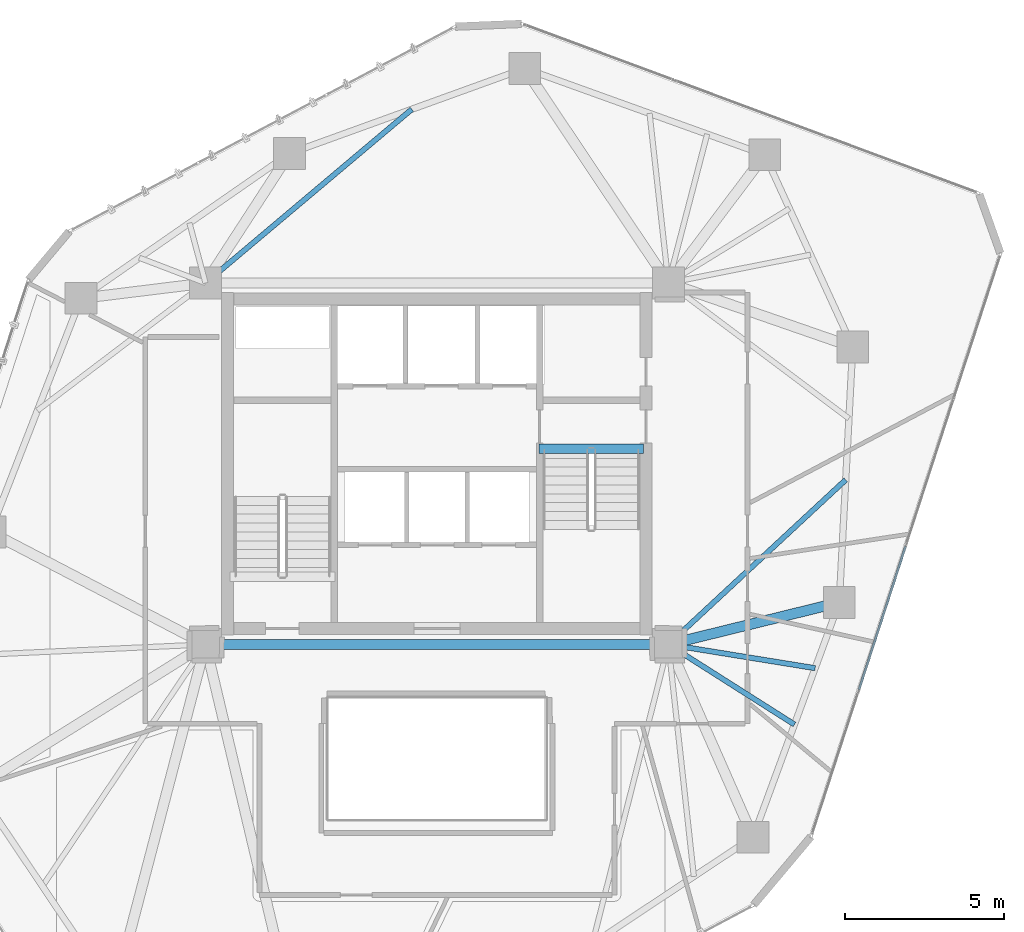
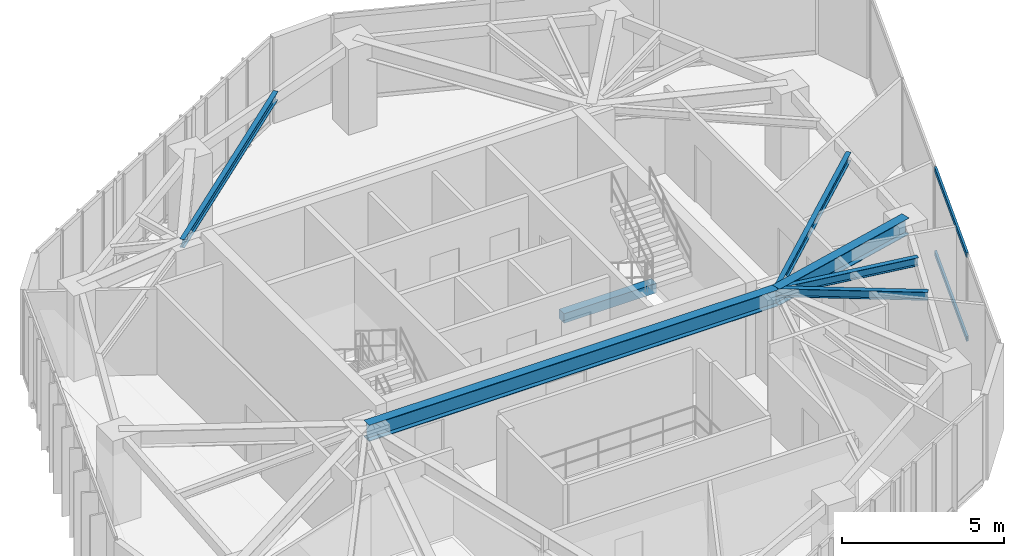
# One storey, part 9 of 19: 7 beams, 2 members, 1 element without a shape of its own.
"""IFC4 building model written with IfcOpenShell, lengths in metres."""

from ifc_helpers import new_model, si_unit, direction, frame, origin, origin_2d, place, context, subcontext, project, spatial, rectangle, hollow_rectangle, i_section, extrude, source, transform, mapped, material, layer, layer_set, material_profile, profile_set, type_object, type_shapes, element, aggregate, save


model = new_model("IFC4")

# Units and contexts
model_context = context("Model", 3, precision=1e-05, world=origin(), true_north=direction((0.0, 1.0)))
body_context = subcontext(model_context, "Body", "Model", "MODEL_VIEW")
ifc_project = project(units=[si_unit("LENGTHUNIT", "METRE"), si_unit("AREAUNIT", "SQUARE_METRE"), si_unit("VOLUMEUNIT", "CUBIC_METRE"), si_unit("PLANEANGLEUNIT", "RADIAN"), si_unit("MASSUNIT", "GRAM", prefix="KILO")], contexts=[model_context])

# Site, building, storey
site_placement = place(None, origin())
site = spatial("IfcSite", under=ifc_project, at=site_placement, CompositionType="ELEMENT")
building_placement = place(site_placement, origin())
building = spatial("IfcBuilding", under=site, at=building_placement, Name="Talar Marvaseh", CompositionType="ELEMENT")
storey_placement = place(building_placement, frame((0.0, 0.0, 174.0)))
storey = spatial("IfcBuildingStorey", under=building, at=storey_placement, Name="L45", CompositionType="ELEMENT", Elevation=174.0)

# Beams
ifc_material_1 = material(Name="Concrete C40/50", Category="concrete")
ifc_material_profile_1 = material_profile(ifc_material_1, rectangle(XDim=0.300048828125, YDim=0.360107421875, at=origin_2d()), Name="RC300x360")
ifc_profile_set_1 = profile_set([ifc_material_profile_1], Name="Concrete C40/50")
beam_type_1 = type_object("IfcBeamType", Name="Concrete Stair Landing Trimmer Beam RC300x360", PredefinedType="SPANDREL", material=ifc_profile_set_1)
beam_1_placement = place(storey_placement, frame((29.219970703125, 31.669921875, -0.179931640625), z_axis=(1.0, 0.0, 0.0), x_axis=(0.0, 1.0, 0.0)))
element("IfcBeam", 1, at=beam_1_placement, inside=storey, type_object=beam_type_1, Name="L45 ST-2 Stair Nosing Trimmer Beam", PredefinedType="SPANDREL", context=body_context, shape_type="SweptSolid", body=[
    extrude(rectangle(XDim=0.300048828125, YDim=0.360107421875, at=origin_2d()), origin(), (0.0, 0.0, 1.0), 3.300048828125),
])
ifc_material_2 = material(Name="Steel S355", Category="steel")
ifc_material_profile_2 = material_profile(ifc_material_2, i_section(OverallWidth=0.324951171875, OverallDepth=0.615966796875, WebThickness=0.013916015625, FlangeThickness=0.021484375, at=origin_2d()), Name="W610x174")
ifc_profile_set_2 = profile_set([ifc_material_profile_2], Name="Steel S355")
beam_type_2 = type_object("IfcBeamType", Name="Zone 3 Radial Floor Girder W610x174", PredefinedType="BEAM", material=ifc_profile_set_2)
beam_2_placement = place(storey_placement, frame((18.699951171875, 25.5, 2.922119140625), z_axis=(1.0, 0.0, 0.0), x_axis=(0.0, 1.0, 0.0)))
element("IfcBeam", 2, at=beam_2_placement, inside=storey, type_object=beam_type_2, Name="L45 Zone 3 Radial Floor Girder W610x174", PredefinedType="BEAM", context=body_context, shape_type="SweptSolid", body=[
    extrude(i_section(OverallWidth=0.324951171875, OverallDepth=0.615966796875, WebThickness=0.013916015625, FlangeThickness=0.021484375, at=origin_2d()), origin(), (0.0, 0.0, 1.0), 14.60009765625),
])
beam_3_placement = place(storey_placement, frame((38.68896484375, 26.823974609375, 2.922119140625), z_axis=(-0.971120507527, -0.238589521692, 0.0), x_axis=(0.238589521692, -0.971120507527, 0.0)))
element("IfcBeam", 3, at=beam_3_placement, inside=storey, type_object=beam_type_2, Name="L45 Zone 3 Radial Floor Girder W610x174", PredefinedType="BEAM", context=body_context, shape_type="SweptSolid", body=[
    extrude(i_section(OverallWidth=0.324951171875, OverallDepth=0.615966796875, WebThickness=0.013916015625, FlangeThickness=0.021484375, at=origin_2d()), origin(), (0.0, 0.0, 1.0), 5.549072265625),
])
ifc_material_profile_3 = material_profile(ifc_material_2, i_section(OverallWidth=0.166015625, OverallDepth=0.31298828125, WebThickness=0.006591796875, FlangeThickness=0.01123046875, at=origin_2d()), Name="W310x45")
ifc_profile_set_3 = profile_set([ifc_material_profile_3], Name="Steel S355")
beam_type_3 = type_object("IfcBeamType", Name="Zone 3 Secondary Floor Joist W310x45", PredefinedType="JOIST", material=ifc_profile_set_3)
beam_4_placement = place(storey_placement, frame((38.892578125, 30.69287109375, 3.073486328125), z_axis=(-0.73280602476, -0.680437601897, 0.0), x_axis=(0.680437601897, -0.73280602476, 0.0)))
element("IfcBeam", 4, at=beam_4_placement, inside=storey, type_object=beam_type_3, Name="L45 Zone 3 Secondary Floor Joist W310x45", PredefinedType="JOIST", context=body_context, shape_type="SweptSolid", body=[
    extrude(i_section(OverallWidth=0.166015625, OverallDepth=0.31298828125, WebThickness=0.006591796875, FlangeThickness=0.01123046875, at=origin_2d()), origin(), (0.0, 0.0, 1.0), 7.631591796875),
])
beam_5_placement = place(storey_placement, frame((37.927978515625, 24.751708984375, 3.073486328125), z_axis=(-0.987178985963, 0.159617197298, 0.0), x_axis=(-0.159617197298, -0.987178985963, 0.0)))
element("IfcBeam", 5, at=beam_5_placement, inside=storey, type_object=beam_type_3, Name="L45 Zone 3 Secondary Floor Joist W310x45", PredefinedType="JOIST", context=body_context, shape_type="SweptSolid", body=[
    extrude(i_section(OverallWidth=0.166015625, OverallDepth=0.31298828125, WebThickness=0.006591796875, FlangeThickness=0.01123046875, at=origin_2d()), origin(), (0.0, 0.0, 1.0), 4.68798828125),
])
beam_6_placement = place(storey_placement, frame((37.275634765625, 22.9755859375, 3.073486328125), z_axis=(-0.844190472961, 0.536043324147, 0.0), x_axis=(-0.536043324147, -0.844190472961, 0.0)))
element("IfcBeam", 6, at=beam_6_placement, inside=storey, type_object=beam_type_3, Name="L45 Zone 3 Secondary Floor Joist W310x45", PredefinedType="JOIST", context=body_context, shape_type="SweptSolid", body=[
    extrude(i_section(OverallWidth=0.166015625, OverallDepth=0.31298828125, WebThickness=0.006591796875, FlangeThickness=0.01123046875, at=origin_2d()), origin(), (0.0, 0.0, 1.0), 4.709228515625),
])
beam_7_placement = place(storey_placement, frame((25.207275390625, 42.380615234375, 3.073486328125), z_axis=(-0.76486133839, -0.644194949558, 0.0), x_axis=(0.644194949558, -0.76486133839, 0.0)))
element("IfcBeam", 7, at=beam_7_placement, inside=storey, type_object=beam_type_3, Name="L45 Zone 3 Secondary Floor Joist W310x45", PredefinedType="JOIST", context=body_context, shape_type="SweptSolid", body=[
    extrude(i_section(OverallWidth=0.166015625, OverallDepth=0.31298828125, WebThickness=0.006591796875, FlangeThickness=0.01123046875, at=origin_2d()), origin(), (0.0, 0.0, 1.0), 8.5078125),
])

# Curtain wall, members
ifc_material_3 = material(Name="Architectural Aluminium", Category="aluminium")
ifc_layer = layer(ifc_material_3, 0.18994140625)
ifc_layer_set = layer_set([ifc_layer], Name="Architectural Aluminium")
curtain_wall_type = type_object("IfcCurtainWallType", Name="Unitised Solar Atelier Curtain Wall Z3", PredefinedType="NOTDEFINED", material=ifc_layer_set)
curtain_wall_placement = place(storey_placement, origin())
curtain_wall = element("IfcCurtainWall", 8, at=curtain_wall_placement, inside=storey, type_object=curtain_wall_type, Name="L45 Unitised Solar Atelier Curtain Wall Z3", PredefinedType="NOTDEFINED")
ifc_material_profile_4 = material_profile(ifc_material_3, hollow_rectangle(XDim=0.074951171875, YDim=0.179931640625, WallThickness=0.0048828125, at=origin_2d()), Name="RHS180x75x5")
ifc_profile_set_4 = profile_set([ifc_material_profile_4], Name="Architectural Aluminium")
member_type = type_object("IfcMemberType", Name="Unitised Curtain Wall Transom RHS180x75x5", PredefinedType="USERDEFINED", material=ifc_profile_set_4)
shared_shape = source(origin(), body_context, "Body", "SweptSolid", [
    extrude(hollow_rectangle(XDim=0.074951171875, YDim=0.179931640625, WallThickness=0.0048828125, at=origin_2d()), origin(), (0.0, 0.0, 1.0), 4.7470703125),
])
type_shapes(member_type, [shared_shape])
member_1_placement = place(storey_placement, frame((40.779296875, 28.59375, 0.03759765625), z_axis=(-0.309137238828, -0.9510174381, 0.0), x_axis=(0.9510174381, -0.309137238828, 0.0)))
member_1 = element("IfcMember", 9, at=member_1_placement, type_object=member_type, Name="CW-Z3 transom 3.1", ObjectType="TRANSOM", PredefinedType="USERDEFINED", context=body_context, shape_type="MappedRepresentation", body=[
    mapped(shared_shape, transform((0.0, 0.0, 0.0), x_axis=(1.0, 0.0, 0.0), y_axis=(0.0, 1.0, 0.0), z_axis=(0.0, 0.0, 1.0), scale=1.0)),
])
member_2_placement = place(storey_placement, frame((40.779296875, 28.59375, 3.1923828125), z_axis=(-0.309137238828, -0.9510174381, 0.0), x_axis=(0.9510174381, -0.309137238828, 0.0)))
member_2 = element("IfcMember", 10, at=member_2_placement, type_object=member_type, Name="CW-Z3 transom 3.2", ObjectType="TRANSOM", PredefinedType="USERDEFINED", context=body_context, shape_type="MappedRepresentation", body=[
    mapped(shared_shape, transform((0.0, 0.0, 0.0), x_axis=(1.0, 0.0, 0.0), y_axis=(0.0, 1.0, 0.0), z_axis=(0.0, 0.0, 1.0), scale=1.0)),
])
aggregate(curtain_wall, [member_1, member_2])

save(model, "model.ifc")
